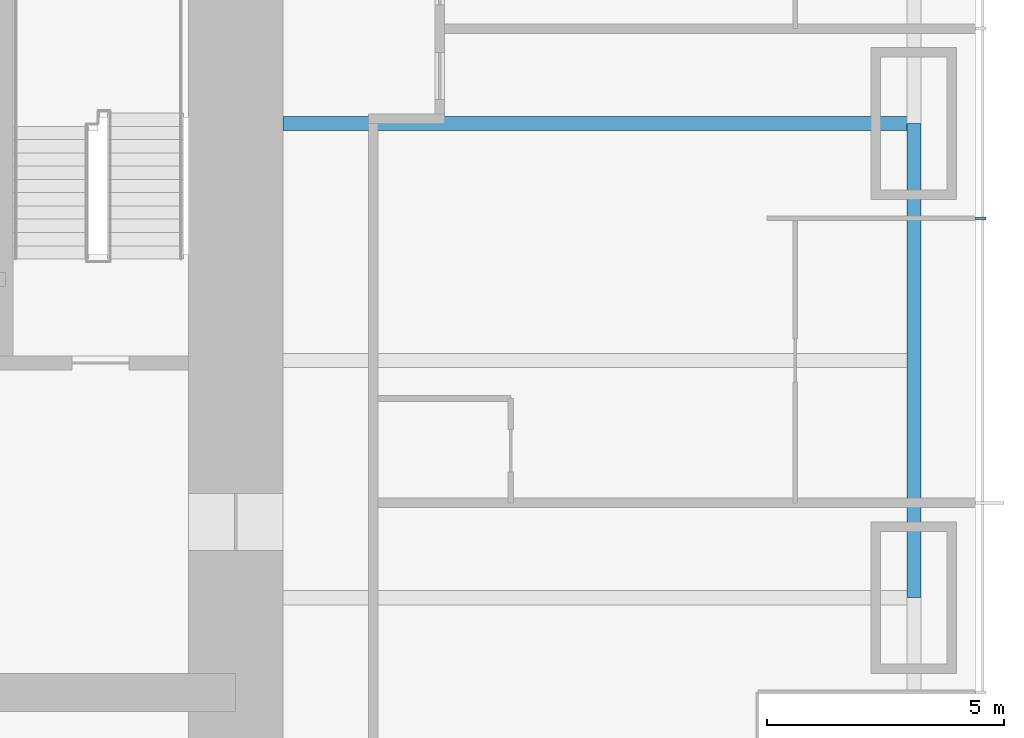
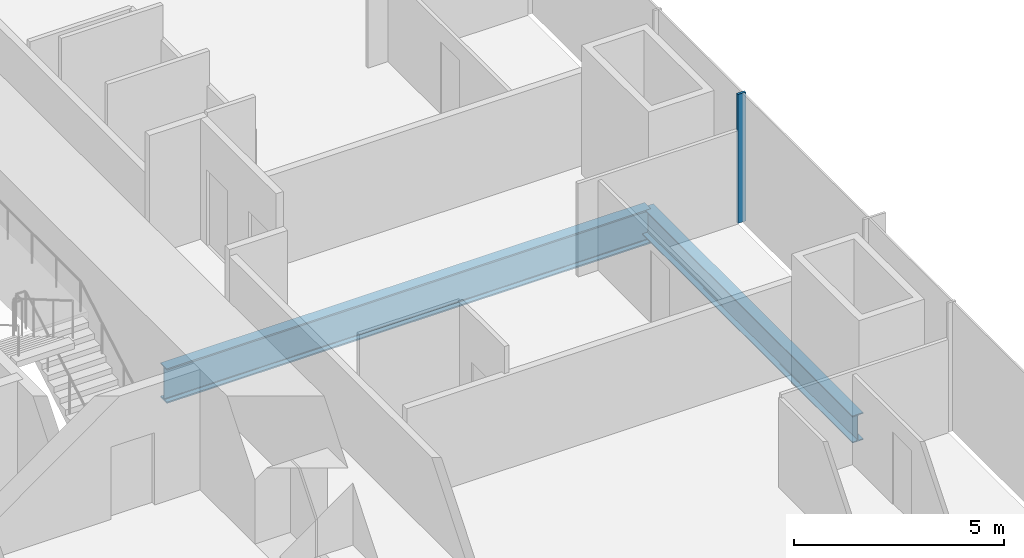
# One storey, part 5 of 16: 2 beams, 1 member, 1 element without a shape of its own.
"""IFC4 building model written with IfcOpenShell, lengths in metres."""

from ifc_helpers import new_model, si_unit, direction, frame, origin, origin_2d, place, context, subcontext, project, spatial, rectangle, i_section, extrude, material, material_profile, profile_set, type_object, element, aggregate, save


model = new_model("IFC4")

# Units and contexts
model_context = context("Model", 3, precision=1e-05, world=origin(), true_north=direction((0.0, 1.0)))
body_context = subcontext(model_context, "Body", "Model", "MODEL_VIEW")
ifc_project = project(units=[si_unit("LENGTHUNIT", "METRE"), si_unit("AREAUNIT", "SQUARE_METRE"), si_unit("VOLUMEUNIT", "CUBIC_METRE"), si_unit("PLANEANGLEUNIT", "RADIAN"), si_unit("MASSUNIT", "GRAM", prefix="KILO")], contexts=[model_context])

# Site, building, storey
site_placement = place(None, origin())
site = spatial("IfcSite", under=ifc_project, at=site_placement, CompositionType="ELEMENT")
building_placement = place(site_placement, origin())
building = spatial("IfcBuilding", under=site, at=building_placement, Name="Khuree Lantern Residences", CompositionType="ELEMENT")
storey_placement = place(building_placement, frame((0.0, 0.0, 69.75)))
storey = spatial("IfcBuildingStorey", under=building, at=storey_placement, Name="L17", CompositionType="ELEMENT", Elevation=69.75)

# Beams
ifc_material_1 = material(Name="Steel S355", Category="steel")
ifc_material_profile_1 = material_profile(ifc_material_1, i_section(OverallWidth=0.300048828125, OverallDepth=0.7900390625, WebThickness=0.014892578125, FlangeThickness=0.028076171875, FilletRadius=0.030029296875, at=origin_2d()), Name="HE 800 A")
ifc_profile_set_1 = profile_set([ifc_material_profile_1], Name="Steel S355")
beam_type_1 = type_object("IfcBeamType", Name="E-14 SPANDREL BEAM HE 800 A", PredefinedType="SPANDREL", material=ifc_profile_set_1)
beam_1_placement = place(storey_placement, frame((29.800048828125, 0.0, -0.64501953125), z_axis=(0.0, -1.0, 0.0), x_axis=(1.0, 0.0, 0.0)))
element("IfcBeam", 1, at=beam_1_placement, inside=storey, type_object=beam_type_1, Name="Spandrel beam E4", PredefinedType="SPANDREL", context=body_context, shape_type="SweptSolid", body=[
    extrude(i_section(OverallWidth=0.300048828125, OverallDepth=0.7900390625, WebThickness=0.014892578125, FlangeThickness=0.028076171875, FilletRadius=0.030029296875, at=origin_2d()), origin(), (0.0, 0.0, 1.0), 10.0),
])
ifc_material_profile_2 = material_profile(ifc_material_1, i_section(OverallWidth=0.302001953125, OverallDepth=1.008056640625, WebThickness=0.02099609375, FlangeThickness=0.0400390625, FilletRadius=0.030029296875, at=origin_2d()), Name="HE 1000 M")
ifc_profile_set_2 = profile_set([ifc_material_profile_2], Name="Steel S355")
beam_type_2 = type_object("IfcBeamType", Name="G-14 GIRDER HE 1000 M", PredefinedType="BEAM", material=ifc_profile_set_2)
beam_2_placement = place(storey_placement, frame((29.800048828125, 0.0, -0.75390625), z_axis=(-1.0, 0.0, 0.0), x_axis=(0.0, -1.0, 0.0)))
element("IfcBeam", 2, at=beam_2_placement, inside=storey, type_object=beam_type_2, Name="Girder E3", PredefinedType="BEAM", context=body_context, shape_type="SweptSolid", body=[
    extrude(i_section(OverallWidth=0.302001953125, OverallDepth=1.008056640625, WebThickness=0.02099609375, FlangeThickness=0.0400390625, FilletRadius=0.030029296875, at=origin_2d()), origin(), (0.0, 0.0, 1.0), 13.300048828125),
])

# Curtain wall, member
ifc_material_2 = material(Name="Bronze anodised aluminium", Category="aluminium")
curtain_wall_type = type_object("IfcCurtainWallType", Name="CW-T1 TOWER FACE CURTAIN WALL", PredefinedType="USERDEFINED", material=ifc_material_2)
curtain_wall_placement = place(storey_placement, origin())
curtain_wall = element("IfcCurtainWall", 3, at=curtain_wall_placement, inside=storey, type_object=curtain_wall_type, Name="L17 EAST FACE CURTAIN WALL", ObjectType="Stick-built curtain wall", PredefinedType="USERDEFINED")
ifc_material_profile_3 = material_profile(ifc_material_2, rectangle(XDim=0.06494140625, YDim=0.219970703125, at=origin_2d()), Name="M1 65X220")
ifc_profile_set_3 = profile_set([ifc_material_profile_3], Name="Bronze anodised aluminium")
member_type = type_object("IfcMemberType", Name="M1 BRONZE MULLION TOWER 65X220", PredefinedType="MULLION", material=ifc_profile_set_3)
member_placement = place(storey_placement, frame((31.2099609375, -2.0, 0.0), z_axis=(0.0, 0.0, 1.0), x_axis=(0.0, 1.0, 0.0)))
member = element("IfcMember", 4, at=member_placement, type_object=member_type, Name="L17 EAST FACE MULLION 9", PredefinedType="MULLION", context=body_context, shape_type="SweptSolid", body=[
    extrude(rectangle(XDim=0.06494140625, YDim=0.219970703125, at=origin_2d()), origin(), (0.0, 0.0, 1.0), 3.75),
])
aggregate(curtain_wall, [member])

save(model, "model.ifc")
